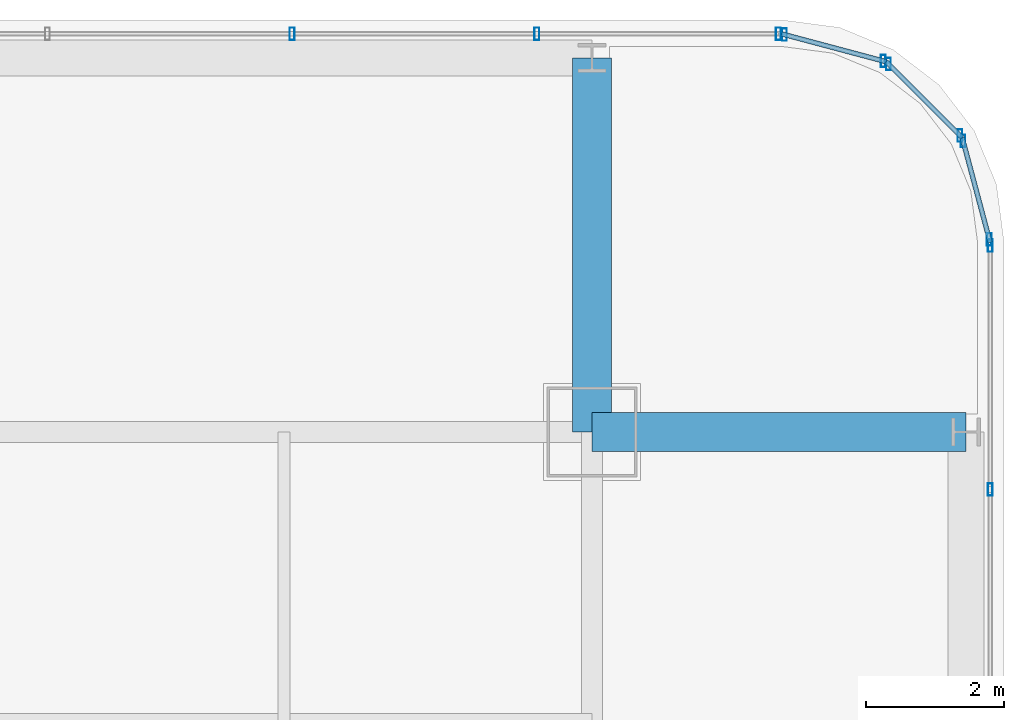
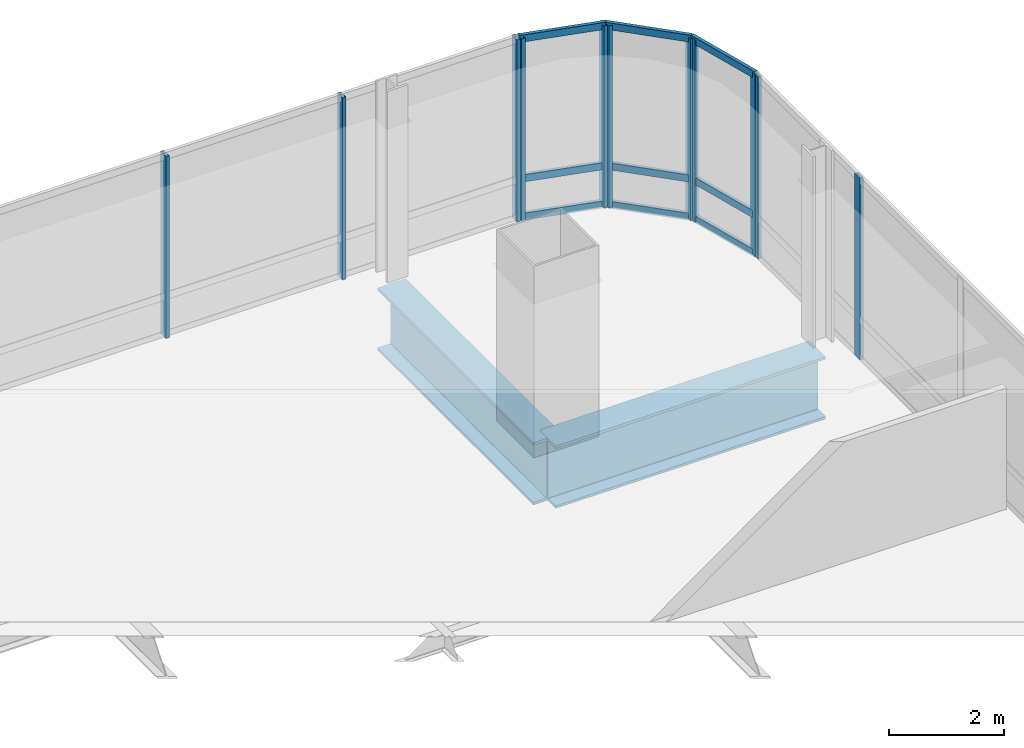
# One storey, part 30 of 39: 20 members, 2 beams, 5 elements without a shape of their own.
"""IFC4 building model written with IfcOpenShell, lengths in metres."""

from ifc_helpers import new_model, si_unit, direction, frame, origin, origin_2d, place, context, subcontext, project, spatial, hollow_rectangle, i_section, extrude, material, material_profile, profile_set, type_object, element, aggregate, save


model = new_model("IFC4")

# Units and contexts
model_context = context("Model", 3, precision=1e-05, world=origin(), true_north=direction((0.0, 1.0)))
body_context = subcontext(model_context, "Body", "Model", "MODEL_VIEW")
ifc_project = project(units=[si_unit("LENGTHUNIT", "METRE"), si_unit("AREAUNIT", "SQUARE_METRE"), si_unit("VOLUMEUNIT", "CUBIC_METRE"), si_unit("PLANEANGLEUNIT", "RADIAN"), si_unit("MASSUNIT", "GRAM", prefix="KILO")], contexts=[model_context])

# Site, building, storey
site_placement = place(None, origin())
site = spatial("IfcSite", under=ifc_project, at=site_placement, CompositionType="ELEMENT")
building_placement = place(site_placement, origin())
building = spatial("IfcBuilding", under=site, at=building_placement, Name="Punatoya Terracotta Tower", CompositionType="ELEMENT")
storey_placement = place(building_placement, frame((0.0, 0.0, 275.699951171875)))
storey = spatial("IfcBuildingStorey", under=building, at=storey_placement, Name="L65", CompositionType="ELEMENT", Elevation=275.699951171875)

# Beams
ifc_material_1 = material(Name="Steel S460", Category="steel")
ifc_material_profile_1 = material_profile(ifc_material_1, i_section(OverallWidth=0.56005859375, OverallDepth=1.320068359375, WebThickness=0.035888671875, FlangeThickness=0.054931640625, FilletRadius=0.01806640625, at=origin_2d()))
ifc_profile_set_1 = profile_set([ifc_material_profile_1], Name="Steel S460")
beam_type = type_object("IfcBeamType", Name="BM-TG-BLK", PredefinedType="BEAM", material=ifc_profile_set_1)
for number, where, z_axis, x_axis, name in (
    (1, (19.10009765625, 17.5, -0.85986328125), (1.0, 0.0, 0.0), (0.0, 1.0, 0.0), "BM-L65-CANT-E4"),
    (2, (19.10009765625, 17.5, -0.85986328125), (0.0, 1.0, 0.0), (-1.0, 0.0, 0.0), "BM-L65-CANT-N4"),
):
    element("IfcBeam", number, at=place(storey_placement, frame(where, z_axis=z_axis, x_axis=x_axis)), inside=storey, type_object=beam_type, Name=name, PredefinedType="BEAM", context=body_context, shape_type="SweptSolid", body=[
        extrude(i_section(OverallWidth=0.56005859375, OverallDepth=1.320068359375, WebThickness=0.035888671875, FlangeThickness=0.054931640625, FilletRadius=0.01806640625, at=origin_2d()), origin(), (0.0, 0.0, 1.0), 5.39990234375),
    ])

# Curtain wall, members
ifc_material_2 = material(Name="Aluminium 6063-T6 + Double Low-E Glass", Category="aluminium")
curtain_wall_type = type_object("IfcCurtainWallType", Name="CW-M3", PredefinedType="NOTDEFINED", material=ifc_material_2)
curtain_wall_1_placement = place(storey_placement, origin())
curtain_wall_1 = element("IfcCurtainWall", 3, at=curtain_wall_1_placement, inside=storey, type_object=curtain_wall_type, Name="L65 Curtain Wall CW-L65-E05-1", PredefinedType="NOTDEFINED")
ifc_material_3 = material(Name="Aluminium 6063-T6", Category="aluminium")
ifc_material_profile_2 = material_profile(ifc_material_3, hollow_rectangle(XDim=0.070068359375, YDim=0.179931640625, WallThickness=0.00390625, at=origin_2d()))
ifc_profile_set_2 = profile_set([ifc_material_profile_2], Name="Aluminium 6063-T6")
member_type_1 = type_object("IfcMemberType", Name="CW-MUL-M3", PredefinedType="MULLION", material=ifc_profile_set_2)
member_1_placement = place(storey_placement, frame((24.85009765625, 16.66943359375, 0.0), z_axis=(0.0, 0.0, 1.0), x_axis=(1.0, 0.0, 0.0)))
member_1 = element("IfcMember", 4, at=member_1_placement, type_object=member_type_1, Name="CW-L65-E05-1 Mullion 09", PredefinedType="MULLION", context=body_context, shape_type="SweptSolid", body=[
    extrude(hollow_rectangle(XDim=0.070068359375, YDim=0.179931640625, WallThickness=0.00390625, at=origin_2d()), origin(), (0.0, 0.0, 1.0), 3.85009765625),
])
member_2_placement = place(storey_placement, frame((24.85009765625, 20.19189453125, 0.0), z_axis=(0.0, 0.0, 1.0), x_axis=(1.0, 0.0, 0.0)))
member_2 = element("IfcMember", 5, at=member_2_placement, type_object=member_type_1, Name="CW-L65-E05-1 Mullion 10", PredefinedType="MULLION", context=body_context, shape_type="SweptSolid", body=[
    extrude(hollow_rectangle(XDim=0.070068359375, YDim=0.179931640625, WallThickness=0.00390625, at=origin_2d()), origin(), (0.0, 0.0, 1.0), 3.85009765625),
])
aggregate(curtain_wall_1, [member_1, member_2])

curtain_wall_2_placement = place(storey_placement, origin())
curtain_wall_2 = element("IfcCurtainWall", 6, at=curtain_wall_2_placement, inside=storey, type_object=curtain_wall_type, Name="L65 Curtain Wall CW-L65-CRN06", PredefinedType="NOTDEFINED")
member_3_placement = place(storey_placement, frame((24.83837890625, 20.280517578125, 0.0), z_axis=(0.0, 0.0, 1.0), x_axis=(1.0, 0.0, 0.0)))
member_3 = element("IfcMember", 7, at=member_3_placement, type_object=member_type_1, Name="CW-L65-CRN06 Mullion 00", PredefinedType="MULLION", context=body_context, shape_type="SweptSolid", body=[
    extrude(hollow_rectangle(XDim=0.070068359375, YDim=0.179931640625, WallThickness=0.00390625, at=origin_2d()), origin(), (0.0, 0.0, 1.0), 3.85009765625),
])
member_4_placement = place(storey_placement, frame((24.458251953125, 21.70556640625, 0.0), z_axis=(0.0, 0.0, 1.0), x_axis=(1.0, 0.0, 0.0)))
member_4 = element("IfcMember", 8, at=member_4_placement, type_object=member_type_1, Name="CW-L65-CRN06 Mullion 01", PredefinedType="MULLION", context=body_context, shape_type="SweptSolid", body=[
    extrude(hollow_rectangle(XDim=0.070068359375, YDim=0.179931640625, WallThickness=0.00390625, at=origin_2d()), origin(), (0.0, 0.0, 1.0), 3.85009765625),
])

curtain_wall_3_placement = place(storey_placement, origin())
curtain_wall_3 = element("IfcCurtainWall", 9, at=curtain_wall_3_placement, inside=storey, type_object=curtain_wall_type, Name="L65 Curtain Wall CW-L65-CRN07", PredefinedType="NOTDEFINED")
member_5_placement = place(storey_placement, frame((24.414794921875, 21.781005859375, 0.0), z_axis=(0.0, 0.0, 1.0), x_axis=(1.0, 0.0, 0.0)))
member_5 = element("IfcMember", 10, at=member_5_placement, type_object=member_type_1, Name="CW-L65-CRN07 Mullion 00", PredefinedType="MULLION", context=body_context, shape_type="SweptSolid", body=[
    extrude(hollow_rectangle(XDim=0.070068359375, YDim=0.179931640625, WallThickness=0.00390625, at=origin_2d()), origin(), (0.0, 0.0, 1.0), 3.85009765625),
])
member_6_placement = place(storey_placement, frame((23.380859375, 22.814697265625, 0.0), z_axis=(0.0, 0.0, 1.0), x_axis=(1.0, 0.0, 0.0)))
member_6 = element("IfcMember", 11, at=member_6_placement, type_object=member_type_1, Name="CW-L65-CRN07 Mullion 01", PredefinedType="MULLION", context=body_context, shape_type="SweptSolid", body=[
    extrude(hollow_rectangle(XDim=0.070068359375, YDim=0.179931640625, WallThickness=0.00390625, at=origin_2d()), origin(), (0.0, 0.0, 1.0), 3.85009765625),
])

curtain_wall_4_placement = place(storey_placement, origin())
curtain_wall_4 = element("IfcCurtainWall", 12, at=curtain_wall_4_placement, inside=storey, type_object=curtain_wall_type, Name="L65 Curtain Wall CW-L65-CRN08", PredefinedType="NOTDEFINED")
member_7_placement = place(storey_placement, frame((23.3056640625, 22.858154296875, 0.0), z_axis=(0.0, 0.0, 1.0), x_axis=(1.0, 0.0, 0.0)))
member_7 = element("IfcMember", 13, at=member_7_placement, type_object=member_type_1, Name="CW-L65-CRN08 Mullion 00", PredefinedType="MULLION", context=body_context, shape_type="SweptSolid", body=[
    extrude(hollow_rectangle(XDim=0.070068359375, YDim=0.179931640625, WallThickness=0.00390625, at=origin_2d()), origin(), (0.0, 0.0, 1.0), 3.85009765625),
])
member_8_placement = place(storey_placement, frame((21.88037109375, 23.23828125, 0.0), z_axis=(0.0, 0.0, 1.0), x_axis=(1.0, 0.0, 0.0)))
member_8 = element("IfcMember", 14, at=member_8_placement, type_object=member_type_1, Name="CW-L65-CRN08 Mullion 01", PredefinedType="MULLION", context=body_context, shape_type="SweptSolid", body=[
    extrude(hollow_rectangle(XDim=0.070068359375, YDim=0.179931640625, WallThickness=0.00390625, at=origin_2d()), origin(), (0.0, 0.0, 1.0), 3.85009765625),
])

curtain_wall_5_placement = place(storey_placement, origin())
curtain_wall_5 = element("IfcCurtainWall", 15, at=curtain_wall_5_placement, inside=storey, type_object=curtain_wall_type, Name="L65 Curtain Wall CW-L65-N09-1", PredefinedType="NOTDEFINED")
member_9_placement = place(storey_placement, frame((21.7919921875, 23.25, 0.0), z_axis=(0.0, 0.0, 1.0), x_axis=(1.0, 0.0, 0.0)))
member_9 = element("IfcMember", 16, at=member_9_placement, type_object=member_type_1, Name="CW-L65-N09-1 Mullion 00", PredefinedType="MULLION", context=body_context, shape_type="SweptSolid", body=[
    extrude(hollow_rectangle(XDim=0.070068359375, YDim=0.179931640625, WallThickness=0.00390625, at=origin_2d()), origin(), (0.0, 0.0, 1.0), 3.85009765625),
])
member_10_placement = place(storey_placement, frame((18.302978515625, 23.25, 0.0), z_axis=(0.0, 0.0, 1.0), x_axis=(1.0, 0.0, 0.0)))
member_10 = element("IfcMember", 17, at=member_10_placement, type_object=member_type_1, Name="CW-L65-N09-1 Mullion 01", PredefinedType="MULLION", context=body_context, shape_type="SweptSolid", body=[
    extrude(hollow_rectangle(XDim=0.070068359375, YDim=0.179931640625, WallThickness=0.00390625, at=origin_2d()), origin(), (0.0, 0.0, 1.0), 3.85009765625),
])
member_11_placement = place(storey_placement, frame((14.768798828125, 23.25, 0.0), z_axis=(0.0, 0.0, 1.0), x_axis=(1.0, 0.0, 0.0)))
member_11 = element("IfcMember", 18, at=member_11_placement, type_object=member_type_1, Name="CW-L65-N09-1 Mullion 02", PredefinedType="MULLION", context=body_context, shape_type="SweptSolid", body=[
    extrude(hollow_rectangle(XDim=0.070068359375, YDim=0.179931640625, WallThickness=0.00390625, at=origin_2d()), origin(), (0.0, 0.0, 1.0), 3.85009765625),
])
aggregate(curtain_wall_5, [member_9, member_10, member_11])

# Member
ifc_material_profile_3 = material_profile(ifc_material_3, hollow_rectangle(XDim=0.068115234375, YDim=0.14990234375, WallThickness=0.00390625, at=origin_2d()))
ifc_profile_set_3 = profile_set([ifc_material_profile_3], Name="Aluminium 6063-T6")
member_type_2 = type_object("IfcMemberType", Name="CW-TRN-TYP", PredefinedType="USERDEFINED", material=ifc_profile_set_3)
member_12_placement = place(storey_placement, frame((24.85009765625, 20.23681640625, 0.0400390625), z_axis=(-0.257847112249, 0.966185730957, 0.0), x_axis=(-0.966185730957, -0.257847112249, 0.0)))
member_12 = element("IfcMember", 19, at=member_12_placement, type_object=member_type_2, Name="CW-L65-CRN06 Transom 1", ObjectType="TRANSOM", PredefinedType="USERDEFINED", context=body_context, shape_type="SweptSolid", body=[
    extrude(hollow_rectangle(XDim=0.068115234375, YDim=0.14990234375, WallThickness=0.00390625, at=origin_2d()), origin(), (0.0, 0.0, 1.0), 1.565185546875),
])

member_13_placement = place(storey_placement, frame((24.85009765625, 20.23681640625, 0.85009765625), z_axis=(-0.257847112249, 0.966185730957, 0.0), x_axis=(-0.966185730957, -0.257847112249, 0.0)))
member_13 = element("IfcMember", 20, at=member_13_placement, type_object=member_type_2, Name="CW-L65-CRN06 Transom 2", ObjectType="TRANSOM", PredefinedType="USERDEFINED", context=body_context, shape_type="SweptSolid", body=[
    extrude(hollow_rectangle(XDim=0.068115234375, YDim=0.14990234375, WallThickness=0.00390625, at=origin_2d()), origin(), (0.0, 0.0, 1.0), 1.565185546875),
])

member_14_placement = place(storey_placement, frame((24.85009765625, 20.23681640625, 3.81005859375), z_axis=(-0.257847112249, 0.966185730957, 0.0), x_axis=(-0.966185730957, -0.257847112249, 0.0)))
member_14 = element("IfcMember", 21, at=member_14_placement, type_object=member_type_2, Name="CW-L65-CRN06 Transom 3", ObjectType="TRANSOM", PredefinedType="USERDEFINED", context=body_context, shape_type="SweptSolid", body=[
    extrude(hollow_rectangle(XDim=0.068115234375, YDim=0.14990234375, WallThickness=0.00390625, at=origin_2d()), origin(), (0.0, 0.0, 1.0), 1.565185546875),
])

aggregate(curtain_wall_2, [member_3, member_4, member_12, member_13, member_14])

member_15_placement = place(storey_placement, frame((24.446533203125, 21.7490234375, 0.0400390625), z_axis=(-0.707028130747, 0.707185422879, 0.0), x_axis=(-0.707185422879, -0.707028130747, 0.0)))
member_15 = element("IfcMember", 22, at=member_15_placement, type_object=member_type_2, Name="CW-L65-CRN07 Transom 1", ObjectType="TRANSOM", PredefinedType="USERDEFINED", context=body_context, shape_type="SweptSolid", body=[
    extrude(hollow_rectangle(XDim=0.068115234375, YDim=0.14990234375, WallThickness=0.00390625, at=origin_2d()), origin(), (0.0, 0.0, 1.0), 1.55224609375),
])

member_16_placement = place(storey_placement, frame((24.446533203125, 21.7490234375, 0.85009765625), z_axis=(-0.707028130747, 0.707185422879, 0.0), x_axis=(-0.707185422879, -0.707028130747, 0.0)))
member_16 = element("IfcMember", 23, at=member_16_placement, type_object=member_type_2, Name="CW-L65-CRN07 Transom 2", ObjectType="TRANSOM", PredefinedType="USERDEFINED", context=body_context, shape_type="SweptSolid", body=[
    extrude(hollow_rectangle(XDim=0.068115234375, YDim=0.14990234375, WallThickness=0.00390625, at=origin_2d()), origin(), (0.0, 0.0, 1.0), 1.55224609375),
])

member_17_placement = place(storey_placement, frame((24.446533203125, 21.7490234375, 3.81005859375), z_axis=(-0.707028130747, 0.707185422879, 0.0), x_axis=(-0.707185422879, -0.707028130747, 0.0)))
member_17 = element("IfcMember", 24, at=member_17_placement, type_object=member_type_2, Name="CW-L65-CRN07 Transom 3", ObjectType="TRANSOM", PredefinedType="USERDEFINED", context=body_context, shape_type="SweptSolid", body=[
    extrude(hollow_rectangle(XDim=0.068115234375, YDim=0.14990234375, WallThickness=0.00390625, at=origin_2d()), origin(), (0.0, 0.0, 1.0), 1.55224609375),
])

aggregate(curtain_wall_3, [member_5, member_6, member_15, member_16, member_17])

member_18_placement = place(storey_placement, frame((23.34912109375, 22.8466796875, 0.0400390625), z_axis=(-0.966224582397, 0.257701486942, 0.0), x_axis=(-0.257701486942, -0.966224582397, 0.0)))
member_18 = element("IfcMember", 25, at=member_18_placement, type_object=member_type_2, Name="CW-L65-CRN08 Transom 1", ObjectType="TRANSOM", PredefinedType="USERDEFINED", context=body_context, shape_type="SweptSolid", body=[
    extrude(hollow_rectangle(XDim=0.068115234375, YDim=0.14990234375, WallThickness=0.00390625, at=origin_2d()), origin(), (0.0, 0.0, 1.0), 1.565185546875),
])

member_19_placement = place(storey_placement, frame((23.34912109375, 22.8466796875, 0.85009765625), z_axis=(-0.966224582397, 0.257701486942, 0.0), x_axis=(-0.257701486942, -0.966224582397, 0.0)))
member_19 = element("IfcMember", 26, at=member_19_placement, type_object=member_type_2, Name="CW-L65-CRN08 Transom 2", ObjectType="TRANSOM", PredefinedType="USERDEFINED", context=body_context, shape_type="SweptSolid", body=[
    extrude(hollow_rectangle(XDim=0.068115234375, YDim=0.14990234375, WallThickness=0.00390625, at=origin_2d()), origin(), (0.0, 0.0, 1.0), 1.565185546875),
])

member_20_placement = place(storey_placement, frame((23.34912109375, 22.8466796875, 3.81005859375), z_axis=(-0.966224582397, 0.257701486942, 0.0), x_axis=(-0.257701486942, -0.966224582397, 0.0)))
member_20 = element("IfcMember", 27, at=member_20_placement, type_object=member_type_2, Name="CW-L65-CRN08 Transom 3", ObjectType="TRANSOM", PredefinedType="USERDEFINED", context=body_context, shape_type="SweptSolid", body=[
    extrude(hollow_rectangle(XDim=0.068115234375, YDim=0.14990234375, WallThickness=0.00390625, at=origin_2d()), origin(), (0.0, 0.0, 1.0), 1.565185546875),
])

aggregate(curtain_wall_4, [member_7, member_8, member_18, member_19, member_20])

save(model, "model.ifc")
